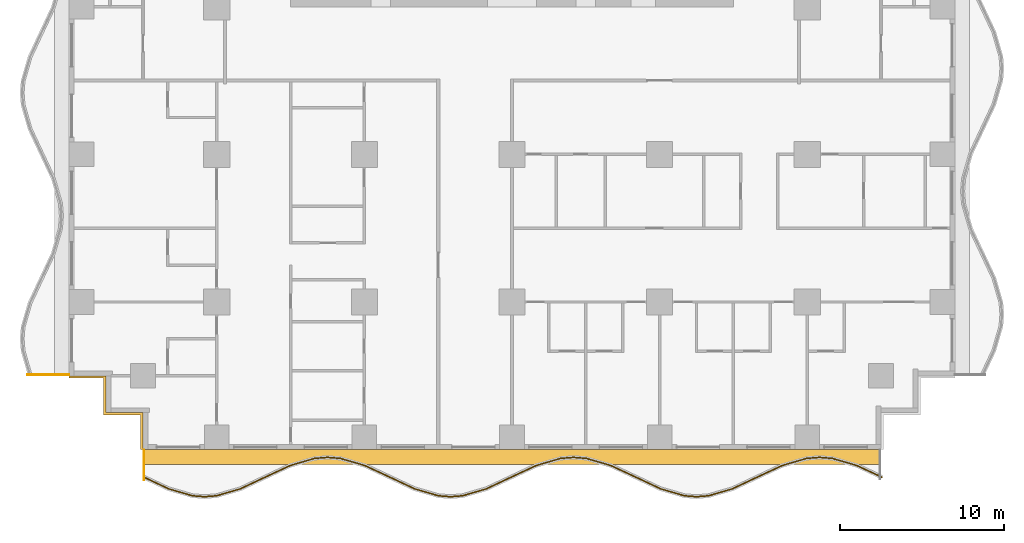
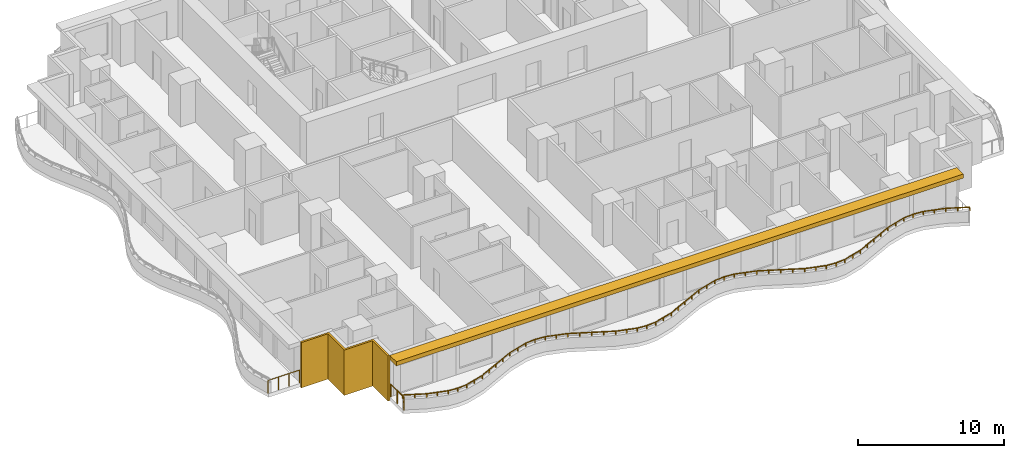
# One storey, part 8 of 14: 3 railings, 2 shading devices.
"""IFC4 building model written with IfcOpenShell, lengths in metres."""

from ifc_helpers import new_model, si_unit, direction, frame, origin, origin_2d, place, context, subcontext, project, spatial, polyline, rectangle, outline, extrude, material, layer, layer_set, type_object, element, save


model = new_model("IFC4")

# Units and contexts
model_context = context("Model", 3, precision=1e-05, world=origin(), true_north=direction((0.0, 1.0)))
body_context = subcontext(model_context, "Body", "Model", "MODEL_VIEW")
ifc_project = project(units=[si_unit("LENGTHUNIT", "METRE"), si_unit("AREAUNIT", "SQUARE_METRE"), si_unit("VOLUMEUNIT", "CUBIC_METRE"), si_unit("PLANEANGLEUNIT", "RADIAN"), si_unit("MASSUNIT", "GRAM", prefix="KILO")], contexts=[model_context])

# Site, building, storey
site_placement = place(None, origin())
site = spatial("IfcSite", under=ifc_project, at=site_placement, CompositionType="ELEMENT")
building_placement = place(site_placement, origin())
building = spatial("IfcBuilding", under=site, at=building_placement, Name="Orbiselva Terraces", CompositionType="ELEMENT")
storey_placement = place(building_placement, frame((0.0, 0.0, 15.0)))
storey = spatial("IfcBuildingStorey", under=building, at=storey_placement, Name="L03", CompositionType="ELEMENT", Elevation=15.0)

# Railings
ifc_material_1 = material(Name="Bonded two-ply safety glass balustrade, stainless steel posts", Category="steel")
railing_type_1 = type_object("IfcRailingType", Name="ENV-BALUSTRADE-1200", PredefinedType="BALUSTRADE", material=ifc_material_1)
railing_1_placement = place(storey_placement, frame((-22.446809, -24.186882, 0.9)))
element("IfcRailing", 1, at=railing_1_placement, inside=storey, type_object=railing_type_1, Name="Balcony balustrade L03 S", PredefinedType="BALUSTRADE", context=body_context, shape_type="SweptSolid", body=[
    extrude(outline(polyline([(0.028868, 0.0), (0.014434, 0.025), (-0.014434, 0.025), (-0.028868, 0.0), (-0.014434, -0.025), (0.014434, -0.025), (0.028868, 0.0)])), frame((0.0, 0.0, 0.275), z_axis=(0.904944359461, -0.425529912322, 0.0), x_axis=(0.425529912322, 0.904944359461, 0.0)), (0.0, 0.0, 1.0), 1.647746),
    extrude(outline(polyline([(0.028868, 0.0), (0.014434, 0.025), (-0.014434, 0.025), (-0.028868, 0.0), (-0.014434, -0.025), (0.014434, -0.025), (0.028868, 0.0)])), frame((1.491118, -0.701165, 0.275), z_axis=(0.960270317007, -0.279071528957, 0.0), x_axis=(0.279071528957, 0.960270317007, 0.0)), (0.0, 0.0, 1.0), 1.539408),
    extrude(outline(polyline([(0.028868, 0.0), (0.014434, 0.025), (-0.014434, 0.025), (-0.028868, 0.0), (-0.014434, -0.025), (0.014434, -0.025), (0.028868, 0.0)])), frame((2.969366, -1.13077, 0.275), z_axis=(0.996947916106, -0.078069536776, 0.0), x_axis=(0.078069536776, 0.996947916106, 0.0)), (0.0, 0.0, 1.0), 0.72967),
    extrude(outline(polyline([(0.028868, 0.0), (0.014434, 0.025), (-0.014434, 0.025), (-0.028868, 0.0), (-0.014434, -0.025), (0.014434, -0.025), (0.028868, 0.0)])), frame((3.696809, -1.187735, 0.275), z_axis=(0.996947916106, 0.078069536776, 0.0), x_axis=(-0.078069536776, 0.996947916106, 0.0)), (0.0, 0.0, 1.0), 0.72967),
    extrude(outline(polyline([(0.028868, 0.0), (0.014434, 0.025), (-0.014434, 0.025), (-0.028868, 0.0), (-0.014434, -0.025), (0.014434, -0.025), (0.028868, 0.0)])), frame((4.424252, -1.13077, 0.275), z_axis=(0.960270317007, 0.279071528957, 0.0), x_axis=(-0.279071528957, 0.960270317007, 0.0)), (0.0, 0.0, 1.0), 1.539408),
    extrude(outline(polyline([(0.028868, 0.0), (0.014434, 0.025), (-0.014434, 0.025), (-0.028868, 0.0), (-0.014434, -0.025), (0.014434, -0.025), (0.028868, 0.0)])), frame((5.9025, -0.701165, 0.275), z_axis=(0.904944359461, 0.425529912322, 0.0), x_axis=(-0.425529912322, 0.904944359461, 0.0)), (0.0, 0.0, 1.0), 1.647746),
    extrude(outline(polyline([(0.028868, 0.0), (0.014434, 0.025), (-0.014434, 0.025), (-0.028868, 0.0), (-0.014434, -0.025), (0.014434, -0.025), (0.028868, 0.0)])), frame((7.393618, 0.0, 0.275), z_axis=(0.904944157382, 0.425530342069, 0.0), x_axis=(-0.425530342069, 0.904944157382, 0.0)), (0.0, 0.0, 1.0), 1.667376),
    extrude(outline(polyline([(0.028868, 0.0), (0.014434, 0.025), (-0.014434, 0.025), (-0.028868, 0.0), (-0.014434, -0.025), (0.014434, -0.025), (0.028868, 0.0)])), frame((8.9025, 0.709519, 0.275), z_axis=(0.960270491427, 0.279070928786, 0.0), x_axis=(-0.279070928786, 0.960270491427, 0.0)), (0.0, 0.0, 1.0), 1.584712),
    extrude(outline(polyline([(0.028868, 0.0), (0.014434, 0.025), (-0.014434, 0.025), (-0.028868, 0.0), (-0.014434, -0.025), (0.014434, -0.025), (0.028868, 0.0)])), frame((10.424252, 1.151766, 0.275), z_axis=(0.996947796737, 0.078071061106, 0.0), x_axis=(-0.078071061106, 0.996947796737, 0.0)), (0.0, 0.0, 1.0), 0.774922),
    extrude(outline(polyline([(0.028868, 0.0), (0.014434, 0.025), (-0.014434, 0.025), (-0.028868, 0.0), (-0.014434, -0.025), (0.014434, -0.025), (0.028868, 0.0)])), frame((11.196809, 1.212265, 0.275), z_axis=(0.996947796737, -0.078071061106, 0.0), x_axis=(0.078071061106, 0.996947796737, 0.0)), (0.0, 0.0, 1.0), 0.774922),
    extrude(outline(polyline([(0.028868, 0.0), (0.014434, 0.025), (-0.014434, 0.025), (-0.028868, 0.0), (-0.014434, -0.025), (0.014434, -0.025), (0.028868, 0.0)])), frame((11.969366, 1.151766, 0.275), z_axis=(0.960270491427, -0.279070928786, 0.0), x_axis=(0.279070928786, 0.960270491427, 0.0)), (0.0, 0.0, 1.0), 1.584712),
    extrude(outline(polyline([(0.028868, 0.0), (0.014434, 0.025), (-0.014434, 0.025), (-0.028868, 0.0), (-0.014434, -0.025), (0.014434, -0.025), (0.028868, 0.0)])), frame((13.491118, 0.709519, 0.275), z_axis=(0.904944157382, -0.425530342069, 0.0), x_axis=(0.425530342069, 0.904944157382, 0.0)), (0.0, 0.0, 1.0), 1.667376),
    extrude(outline(polyline([(0.028868, 0.0), (0.014434, 0.025), (-0.014434, 0.025), (-0.028868, 0.0), (-0.014434, -0.025), (0.014434, -0.025), (0.028868, 0.0)])), frame((15.0, 0.0, 0.275), z_axis=(0.904944359461, -0.425529912322, 0.0), x_axis=(0.425529912322, 0.904944359461, 0.0)), (0.0, 0.0, 1.0), 1.647746),
    extrude(outline(polyline([(0.028868, 0.0), (0.014434, 0.025), (-0.014434, 0.025), (-0.028868, 0.0), (-0.014434, -0.025), (0.014434, -0.025), (0.028868, 0.0)])), frame((16.491118, -0.701165, 0.275), z_axis=(0.960270317007, -0.279071528957, 0.0), x_axis=(0.279071528957, 0.960270317007, 0.0)), (0.0, 0.0, 1.0), 1.539408),
    extrude(outline(polyline([(0.028868, 0.0), (0.014434, 0.025), (-0.014434, 0.025), (-0.028868, 0.0), (-0.014434, -0.025), (0.014434, -0.025), (0.028868, 0.0)])), frame((17.969366, -1.13077, 0.275), z_axis=(0.996947916106, -0.078069536776, 0.0), x_axis=(0.078069536776, 0.996947916106, 0.0)), (0.0, 0.0, 1.0), 0.72967),
    extrude(outline(polyline([(0.028868, 0.0), (0.014434, 0.025), (-0.014434, 0.025), (-0.028868, 0.0), (-0.014434, -0.025), (0.014434, -0.025), (0.028868, 0.0)])), frame((18.696809, -1.187735, 0.275), z_axis=(0.996947916106, 0.078069536776, 0.0), x_axis=(-0.078069536776, 0.996947916106, 0.0)), (0.0, 0.0, 1.0), 0.72967),
    extrude(outline(polyline([(0.028868, 0.0), (0.014434, 0.025), (-0.014434, 0.025), (-0.028868, 0.0), (-0.014434, -0.025), (0.014434, -0.025), (0.028868, 0.0)])), frame((19.424252, -1.13077, 0.275), z_axis=(0.960270317007, 0.279071528957, 0.0), x_axis=(-0.279071528957, 0.960270317007, 0.0)), (0.0, 0.0, 1.0), 1.539408),
    extrude(outline(polyline([(0.028868, 0.0), (0.014434, 0.025), (-0.014434, 0.025), (-0.028868, 0.0), (-0.014434, -0.025), (0.014434, -0.025), (0.028868, 0.0)])), frame((20.9025, -0.701165, 0.275), z_axis=(0.904944359461, 0.425529912322, 0.0), x_axis=(-0.425529912322, 0.904944359461, 0.0)), (0.0, 0.0, 1.0), 1.647746),
    extrude(outline(polyline([(0.028868, 0.0), (0.014434, 0.025), (-0.014434, 0.025), (-0.028868, 0.0), (-0.014434, -0.025), (0.014434, -0.025), (0.028868, 0.0)])), frame((22.393618, 0.0, 0.275), z_axis=(0.904944157382, 0.425530342069, 0.0), x_axis=(-0.425530342069, 0.904944157382, 0.0)), (0.0, 0.0, 1.0), 1.667376),
    extrude(outline(polyline([(0.028868, 0.0), (0.014434, 0.025), (-0.014434, 0.025), (-0.028868, 0.0), (-0.014434, -0.025), (0.014434, -0.025), (0.028868, 0.0)])), frame((23.9025, 0.709519, 0.275), z_axis=(0.960270491427, 0.279070928786, 0.0), x_axis=(-0.279070928786, 0.960270491427, 0.0)), (0.0, 0.0, 1.0), 1.584712),
    extrude(outline(polyline([(0.028868, 0.0), (0.014434, 0.025), (-0.014434, 0.025), (-0.028868, 0.0), (-0.014434, -0.025), (0.014434, -0.025), (0.028868, 0.0)])), frame((25.424252, 1.151766, 0.275), z_axis=(0.996947796737, 0.078071061106, 0.0), x_axis=(-0.078071061106, 0.996947796737, 0.0)), (0.0, 0.0, 1.0), 0.774922),
    extrude(outline(polyline([(0.028868, 0.0), (0.014434, 0.025), (-0.014434, 0.025), (-0.028868, 0.0), (-0.014434, -0.025), (0.014434, -0.025), (0.028868, 0.0)])), frame((26.196809, 1.212265, 0.275), z_axis=(0.996947796737, -0.078071061106, 0.0), x_axis=(0.078071061106, 0.996947796737, 0.0)), (0.0, 0.0, 1.0), 0.774922),
    extrude(outline(polyline([(0.028868, 0.0), (0.014434, 0.025), (-0.014434, 0.025), (-0.028868, 0.0), (-0.014434, -0.025), (0.014434, -0.025), (0.028868, 0.0)])), frame((26.969366, 1.151766, 0.275), z_axis=(0.960270491427, -0.279070928786, 0.0), x_axis=(0.279070928786, 0.960270491427, 0.0)), (0.0, 0.0, 1.0), 1.584712),
    extrude(outline(polyline([(0.028868, 0.0), (0.014434, 0.025), (-0.014434, 0.025), (-0.028868, 0.0), (-0.014434, -0.025), (0.014434, -0.025), (0.028868, 0.0)])), frame((28.491118, 0.709519, 0.275), z_axis=(0.904944157382, -0.425530342069, 0.0), x_axis=(0.425530342069, 0.904944157382, 0.0)), (0.0, 0.0, 1.0), 1.667376),
    extrude(outline(polyline([(0.028868, 0.0), (0.014434, 0.025), (-0.014434, 0.025), (-0.028868, 0.0), (-0.014434, -0.025), (0.014434, -0.025), (0.028868, 0.0)])), frame((30.0, 0.0, 0.275), z_axis=(0.904944359461, -0.425529912322, 0.0), x_axis=(0.425529912322, 0.904944359461, 0.0)), (0.0, 0.0, 1.0), 1.647746),
    extrude(outline(polyline([(0.028868, 0.0), (0.014434, 0.025), (-0.014434, 0.025), (-0.028868, 0.0), (-0.014434, -0.025), (0.014434, -0.025), (0.028868, 0.0)])), frame((31.491118, -0.701165, 0.275), z_axis=(0.960270317007, -0.279071528957, 0.0), x_axis=(0.279071528957, 0.960270317007, 0.0)), (0.0, 0.0, 1.0), 1.539408),
    extrude(outline(polyline([(0.028868, 0.0), (0.014434, 0.025), (-0.014434, 0.025), (-0.028868, 0.0), (-0.014434, -0.025), (0.014434, -0.025), (0.028868, 0.0)])), frame((32.969366, -1.13077, 0.275), z_axis=(0.996947916106, -0.078069536776, 0.0), x_axis=(0.078069536776, 0.996947916106, 0.0)), (0.0, 0.0, 1.0), 0.72967),
    extrude(outline(polyline([(0.028868, 0.0), (0.014434, 0.025), (-0.014434, 0.025), (-0.028868, 0.0), (-0.014434, -0.025), (0.014434, -0.025), (0.028868, 0.0)])), frame((33.696809, -1.187735, 0.275), z_axis=(0.996947916106, 0.078069536776, 0.0), x_axis=(-0.078069536776, 0.996947916106, 0.0)), (0.0, 0.0, 1.0), 0.72967),
    extrude(outline(polyline([(0.028868, 0.0), (0.014434, 0.025), (-0.014434, 0.025), (-0.028868, 0.0), (-0.014434, -0.025), (0.014434, -0.025), (0.028868, 0.0)])), frame((34.424252, -1.13077, 0.275), z_axis=(0.960270317007, 0.279071528957, 0.0), x_axis=(-0.279071528957, 0.960270317007, 0.0)), (0.0, 0.0, 1.0), 1.539408),
    extrude(outline(polyline([(0.028868, 0.0), (0.014434, 0.025), (-0.014434, 0.025), (-0.028868, 0.0), (-0.014434, -0.025), (0.014434, -0.025), (0.028868, 0.0)])), frame((35.9025, -0.701165, 0.275), z_axis=(0.904944359461, 0.425529912322, 0.0), x_axis=(-0.425529912322, 0.904944359461, 0.0)), (0.0, 0.0, 1.0), 1.647746),
    extrude(outline(polyline([(0.028868, 0.0), (0.014434, 0.025), (-0.014434, 0.025), (-0.028868, 0.0), (-0.014434, -0.025), (0.014434, -0.025), (0.028868, 0.0)])), frame((37.393618, 0.0, 0.275), z_axis=(0.904944157382, 0.425530342069, 0.0), x_axis=(-0.425530342069, 0.904944157382, 0.0)), (0.0, 0.0, 1.0), 1.667376),
    extrude(outline(polyline([(0.028868, 0.0), (0.014434, 0.025), (-0.014434, 0.025), (-0.028868, 0.0), (-0.014434, -0.025), (0.014434, -0.025), (0.028868, 0.0)])), frame((38.9025, 0.709519, 0.275), z_axis=(0.960270491427, 0.279070928786, 0.0), x_axis=(-0.279070928786, 0.960270491427, 0.0)), (0.0, 0.0, 1.0), 1.584712),
    extrude(outline(polyline([(0.028868, 0.0), (0.014434, 0.025), (-0.014434, 0.025), (-0.028868, 0.0), (-0.014434, -0.025), (0.014434, -0.025), (0.028868, 0.0)])), frame((40.424252, 1.151766, 0.275), z_axis=(0.996947796737, 0.078071061106, 0.0), x_axis=(-0.078071061106, 0.996947796737, 0.0)), (0.0, 0.0, 1.0), 0.774922),
    extrude(outline(polyline([(0.028868, 0.0), (0.014434, 0.025), (-0.014434, 0.025), (-0.028868, 0.0), (-0.014434, -0.025), (0.014434, -0.025), (0.028868, 0.0)])), frame((41.196809, 1.212265, 0.275), z_axis=(0.996947796737, -0.078071061106, 0.0), x_axis=(0.078071061106, 0.996947796737, 0.0)), (0.0, 0.0, 1.0), 0.774922),
    extrude(outline(polyline([(0.028868, 0.0), (0.014434, 0.025), (-0.014434, 0.025), (-0.028868, 0.0), (-0.014434, -0.025), (0.014434, -0.025), (0.028868, 0.0)])), frame((41.969366, 1.151766, 0.275), z_axis=(0.960270491427, -0.279070928786, 0.0), x_axis=(0.279070928786, 0.960270491427, 0.0)), (0.0, 0.0, 1.0), 1.584712),
    extrude(outline(polyline([(0.028868, 0.0), (0.014434, 0.025), (-0.014434, 0.025), (-0.028868, 0.0), (-0.014434, -0.025), (0.014434, -0.025), (0.028868, 0.0)])), frame((43.491118, 0.709519, 0.275), z_axis=(0.904944157382, -0.425530342069, 0.0), x_axis=(0.425530342069, 0.904944157382, 0.0)), (0.0, 0.0, 1.0), 1.667376),
    extrude(rectangle(XDim=0.05, YDim=0.05, at=origin_2d()), origin(), (0.0, 0.0, 1.0), 0.25),
    extrude(rectangle(XDim=0.05, YDim=0.05, at=origin_2d()), frame((0.745559, -0.350582, 0.0)), (0.0, 0.0, 1.0), 0.25),
    extrude(rectangle(XDim=0.05, YDim=0.05, at=origin_2d()), frame((1.491118, -0.701165, 0.0)), (0.0, 0.0, 1.0), 0.25),
    extrude(rectangle(XDim=0.05, YDim=0.05, at=origin_2d()), frame((2.230242, -0.915967, 0.0)), (0.0, 0.0, 1.0), 0.25),
    extrude(rectangle(XDim=0.05, YDim=0.05, at=origin_2d()), frame((2.969366, -1.13077, 0.0)), (0.0, 0.0, 1.0), 0.25),
    extrude(rectangle(XDim=0.05, YDim=0.05, at=origin_2d()), frame((3.696809, -1.187735, 0.0)), (0.0, 0.0, 1.0), 0.25),
    extrude(rectangle(XDim=0.05, YDim=0.05, at=origin_2d()), frame((4.424252, -1.13077, 0.0)), (0.0, 0.0, 1.0), 0.25),
    extrude(rectangle(XDim=0.05, YDim=0.05, at=origin_2d()), frame((5.163376, -0.915967, 0.0)), (0.0, 0.0, 1.0), 0.25),
    extrude(rectangle(XDim=0.05, YDim=0.05, at=origin_2d()), frame((5.9025, -0.701165, 0.0)), (0.0, 0.0, 1.0), 0.25),
    extrude(rectangle(XDim=0.05, YDim=0.05, at=origin_2d()), frame((6.648059, -0.350582, 0.0)), (0.0, 0.0, 1.0), 0.25),
    extrude(rectangle(XDim=0.05, YDim=0.05, at=origin_2d()), frame((7.393618, 0.0, 0.0)), (0.0, 0.0, 1.0), 0.25),
    extrude(rectangle(XDim=0.05, YDim=0.05, at=origin_2d()), frame((8.148059, 0.35476, 0.0)), (0.0, 0.0, 1.0), 0.25),
    extrude(rectangle(XDim=0.05, YDim=0.05, at=origin_2d()), frame((8.9025, 0.709519, 0.0)), (0.0, 0.0, 1.0), 0.25),
    extrude(rectangle(XDim=0.05, YDim=0.05, at=origin_2d()), frame((9.663376, 0.930643, 0.0)), (0.0, 0.0, 1.0), 0.25),
    extrude(rectangle(XDim=0.05, YDim=0.05, at=origin_2d()), frame((10.424252, 1.151766, 0.0)), (0.0, 0.0, 1.0), 0.25),
    extrude(rectangle(XDim=0.05, YDim=0.05, at=origin_2d()), frame((11.196809, 1.212265, 0.0)), (0.0, 0.0, 1.0), 0.25),
    extrude(rectangle(XDim=0.05, YDim=0.05, at=origin_2d()), frame((11.969366, 1.151766, 0.0)), (0.0, 0.0, 1.0), 0.25),
    extrude(rectangle(XDim=0.05, YDim=0.05, at=origin_2d()), frame((12.730242, 0.930643, 0.0)), (0.0, 0.0, 1.0), 0.25),
    extrude(rectangle(XDim=0.05, YDim=0.05, at=origin_2d()), frame((13.491118, 0.709519, 0.0)), (0.0, 0.0, 1.0), 0.25),
    extrude(rectangle(XDim=0.05, YDim=0.05, at=origin_2d()), frame((14.245559, 0.35476, 0.0)), (0.0, 0.0, 1.0), 0.25),
    extrude(rectangle(XDim=0.05, YDim=0.05, at=origin_2d()), frame((15.0, 0.0, 0.0)), (0.0, 0.0, 1.0), 0.25),
    extrude(rectangle(XDim=0.05, YDim=0.05, at=origin_2d()), frame((15.745559, -0.350582, 0.0)), (0.0, 0.0, 1.0), 0.25),
    extrude(rectangle(XDim=0.05, YDim=0.05, at=origin_2d()), frame((16.491118, -0.701165, 0.0)), (0.0, 0.0, 1.0), 0.25),
    extrude(rectangle(XDim=0.05, YDim=0.05, at=origin_2d()), frame((17.230242, -0.915967, 0.0)), (0.0, 0.0, 1.0), 0.25),
    extrude(rectangle(XDim=0.05, YDim=0.05, at=origin_2d()), frame((17.969366, -1.13077, 0.0)), (0.0, 0.0, 1.0), 0.25),
    extrude(rectangle(XDim=0.05, YDim=0.05, at=origin_2d()), frame((18.696809, -1.187735, 0.0)), (0.0, 0.0, 1.0), 0.25),
    extrude(rectangle(XDim=0.05, YDim=0.05, at=origin_2d()), frame((19.424252, -1.13077, 0.0)), (0.0, 0.0, 1.0), 0.25),
    extrude(rectangle(XDim=0.05, YDim=0.05, at=origin_2d()), frame((20.163376, -0.915967, 0.0)), (0.0, 0.0, 1.0), 0.25),
    extrude(rectangle(XDim=0.05, YDim=0.05, at=origin_2d()), frame((20.9025, -0.701165, 0.0)), (0.0, 0.0, 1.0), 0.25),
    extrude(rectangle(XDim=0.05, YDim=0.05, at=origin_2d()), frame((21.648059, -0.350582, 0.0)), (0.0, 0.0, 1.0), 0.25),
    extrude(rectangle(XDim=0.05, YDim=0.05, at=origin_2d()), frame((22.393618, 0.0, 0.0)), (0.0, 0.0, 1.0), 0.25),
    extrude(rectangle(XDim=0.05, YDim=0.05, at=origin_2d()), frame((23.148059, 0.35476, 0.0)), (0.0, 0.0, 1.0), 0.25),
    extrude(rectangle(XDim=0.05, YDim=0.05, at=origin_2d()), frame((23.9025, 0.709519, 0.0)), (0.0, 0.0, 1.0), 0.25),
    extrude(rectangle(XDim=0.05, YDim=0.05, at=origin_2d()), frame((24.663376, 0.930643, 0.0)), (0.0, 0.0, 1.0), 0.25),
    extrude(rectangle(XDim=0.05, YDim=0.05, at=origin_2d()), frame((25.424252, 1.151766, 0.0)), (0.0, 0.0, 1.0), 0.25),
    extrude(rectangle(XDim=0.05, YDim=0.05, at=origin_2d()), frame((26.196809, 1.212265, 0.0)), (0.0, 0.0, 1.0), 0.25),
    extrude(rectangle(XDim=0.05, YDim=0.05, at=origin_2d()), frame((26.969366, 1.151766, 0.0)), (0.0, 0.0, 1.0), 0.25),
    extrude(rectangle(XDim=0.05, YDim=0.05, at=origin_2d()), frame((27.730242, 0.930643, 0.0)), (0.0, 0.0, 1.0), 0.25),
    extrude(rectangle(XDim=0.05, YDim=0.05, at=origin_2d()), frame((28.491118, 0.709519, 0.0)), (0.0, 0.0, 1.0), 0.25),
    extrude(rectangle(XDim=0.05, YDim=0.05, at=origin_2d()), frame((29.245559, 0.35476, 0.0)), (0.0, 0.0, 1.0), 0.25),
    extrude(rectangle(XDim=0.05, YDim=0.05, at=origin_2d()), frame((30.0, 0.0, 0.0)), (0.0, 0.0, 1.0), 0.25),
    extrude(rectangle(XDim=0.05, YDim=0.05, at=origin_2d()), frame((30.745559, -0.350582, 0.0)), (0.0, 0.0, 1.0), 0.25),
    extrude(rectangle(XDim=0.05, YDim=0.05, at=origin_2d()), frame((31.491118, -0.701165, 0.0)), (0.0, 0.0, 1.0), 0.25),
    extrude(rectangle(XDim=0.05, YDim=0.05, at=origin_2d()), frame((32.230242, -0.915967, 0.0)), (0.0, 0.0, 1.0), 0.25),
    extrude(rectangle(XDim=0.05, YDim=0.05, at=origin_2d()), frame((32.969366, -1.13077, 0.0)), (0.0, 0.0, 1.0), 0.25),
    extrude(rectangle(XDim=0.05, YDim=0.05, at=origin_2d()), frame((33.696809, -1.187735, 0.0)), (0.0, 0.0, 1.0), 0.25),
    extrude(rectangle(XDim=0.05, YDim=0.05, at=origin_2d()), frame((34.424252, -1.13077, 0.0)), (0.0, 0.0, 1.0), 0.25),
    extrude(rectangle(XDim=0.05, YDim=0.05, at=origin_2d()), frame((35.163376, -0.915967, 0.0)), (0.0, 0.0, 1.0), 0.25),
    extrude(rectangle(XDim=0.05, YDim=0.05, at=origin_2d()), frame((35.9025, -0.701165, 0.0)), (0.0, 0.0, 1.0), 0.25),
    extrude(rectangle(XDim=0.05, YDim=0.05, at=origin_2d()), frame((36.648059, -0.350582, 0.0)), (0.0, 0.0, 1.0), 0.25),
    extrude(rectangle(XDim=0.05, YDim=0.05, at=origin_2d()), frame((37.393618, 0.0, 0.0)), (0.0, 0.0, 1.0), 0.25),
    extrude(rectangle(XDim=0.05, YDim=0.05, at=origin_2d()), frame((38.148059, 0.35476, 0.0)), (0.0, 0.0, 1.0), 0.25),
    extrude(rectangle(XDim=0.05, YDim=0.05, at=origin_2d()), frame((38.9025, 0.709519, 0.0)), (0.0, 0.0, 1.0), 0.25),
    extrude(rectangle(XDim=0.05, YDim=0.05, at=origin_2d()), frame((39.663376, 0.930643, 0.0)), (0.0, 0.0, 1.0), 0.25),
    extrude(rectangle(XDim=0.05, YDim=0.05, at=origin_2d()), frame((40.424252, 1.151766, 0.0)), (0.0, 0.0, 1.0), 0.25),
    extrude(rectangle(XDim=0.05, YDim=0.05, at=origin_2d()), frame((41.196809, 1.212265, 0.0)), (0.0, 0.0, 1.0), 0.25),
    extrude(rectangle(XDim=0.05, YDim=0.05, at=origin_2d()), frame((41.969366, 1.151766, 0.0)), (0.0, 0.0, 1.0), 0.25),
    extrude(rectangle(XDim=0.05, YDim=0.05, at=origin_2d()), frame((42.730242, 0.930643, 0.0)), (0.0, 0.0, 1.0), 0.25),
    extrude(rectangle(XDim=0.05, YDim=0.05, at=origin_2d()), frame((43.491118, 0.709519, 0.0)), (0.0, 0.0, 1.0), 0.25),
    extrude(rectangle(XDim=0.05, YDim=0.05, at=origin_2d()), frame((44.245559, 0.35476, 0.0)), (0.0, 0.0, 1.0), 0.25),
    extrude(rectangle(XDim=0.05, YDim=0.05, at=origin_2d()), frame((45.0, 0.0, 0.0)), (0.0, 0.0, 1.0), 0.25),
])
ifc_material_2 = material(Name="Stainless steel rail and posts", Category="steel")
railing_type_2 = type_object("IfcRailingType", Name="ENV-GUARD-1105", PredefinedType="BALUSTRADE", material=ifc_material_2)
railing_2_placement = place(storey_placement, frame((-22.44, -24.330156, 0.0)))
element("IfcRailing", 2, at=railing_2_placement, inside=storey, type_object=railing_type_2, Name="Balcony end guard L03 S", PredefinedType="BALUSTRADE", context=body_context, shape_type="SweptSolid", body=[
    extrude(outline(polyline([(0.028868, 0.0), (0.014434, 0.025), (-0.014434, 0.025), (-0.028868, 0.0), (-0.014434, -0.025), (0.014434, -0.025), (0.028868, 0.0)])), frame((0.0, 0.0, 1.08), z_axis=(0.0, 1.0, 0.0), x_axis=(-1.0, 0.0, 0.0)), (0.0, 0.0, 1.0), 1.805156),
    extrude(rectangle(XDim=0.05, YDim=0.05, at=origin_2d()), origin(), (0.0, 0.0, 1.0), 1.055),
    extrude(rectangle(XDim=0.05, YDim=0.05, at=origin_2d()), frame((0.0, 0.902578, 0.0)), (0.0, 0.0, 1.0), 1.055),
    extrude(rectangle(XDim=0.05, YDim=0.05, at=origin_2d()), frame((0.0, 1.805156, 0.0)), (0.0, 0.0, 1.0), 1.055),
])
railing_3_placement = place(storey_placement, frame((-29.529516, -17.94, 0.0)))
element("IfcRailing", 3, at=railing_3_placement, inside=storey, type_object=railing_type_2, Name="Balcony end guard L03 W", PredefinedType="BALUSTRADE", context=body_context, shape_type="SweptSolid", body=[
    extrude(outline(polyline([(0.028868, 0.0), (0.014434, 0.025), (-0.014434, 0.025), (-0.028868, 0.0), (-0.014434, -0.025), (0.014434, -0.025), (0.028868, 0.0)])), frame((0.0, 0.0, 1.08), z_axis=(1.0, 0.0, 0.0), x_axis=(0.0, 1.0, 0.0)), (0.0, 0.0, 1.0), 2.504516),
    extrude(rectangle(XDim=0.05, YDim=0.05, at=origin_2d()), origin(), (0.0, 0.0, 1.0), 1.055),
    extrude(rectangle(XDim=0.05, YDim=0.05, at=origin_2d()), frame((0.834839, 0.0, 0.0)), (0.0, 0.0, 1.0), 1.055),
    extrude(rectangle(XDim=0.05, YDim=0.05, at=origin_2d()), frame((1.669677, 0.0, 0.0)), (0.0, 0.0, 1.0), 1.055),
    extrude(rectangle(XDim=0.05, YDim=0.05, at=origin_2d()), frame((2.504516, 0.0, 0.0)), (0.0, 0.0, 1.0), 1.055),
])

# Shading devices
ifc_material_3 = material(Name="Terracotta louvre screen", Category="masonry")
ifc_layer_1 = layer(ifc_material_3, 0.15)
ifc_layer_set_1 = layer_set([ifc_layer_1], Name="Terracotta louvre screen")
shading_device_type_1 = type_object("IfcShadingDeviceType", Name="ENV-SCREEN-150", PredefinedType="USERDEFINED", material=ifc_layer_set_1)
shading_device_1_placement = place(storey_placement, frame((0.0, 0.0, -0.3)))
element("IfcShadingDevice", 4, at=shading_device_1_placement, inside=storey, type_object=shading_device_type_1, Name="Louvre screen L03 SW", ObjectType="SCREEN", PredefinedType="USERDEFINED", context=body_context, shape_type="SweptSolid", body=[
    extrude(outline(polyline([(-27.0, -18.15), (-24.9, -18.15), (-24.9, -20.4), (-22.65, -20.4), (-22.65, -22.5), (-22.5, -22.5), (-22.5, -20.25), (-24.75, -20.25), (-24.75, -18.0), (-27.0, -18.0), (-27.0, -18.15)])), origin(), (0.0, 0.0, 1.0), 3.8),
])
ifc_material_4 = material(Name="Terracotta baguette sunshade", Category="masonry")
ifc_layer_2 = layer(ifc_material_4, 0.35)
ifc_layer_set_2 = layer_set([ifc_layer_2], Name="Terracotta baguette sunshade")
shading_device_type_2 = type_object("IfcShadingDeviceType", Name="ENV-SUNSHADE-900x350", PredefinedType="USERDEFINED", material=ifc_layer_set_2)
shading_device_2_placement = place(storey_placement, frame((0.0, 0.0, 3.15)))
element("IfcShadingDevice", 5, at=shading_device_2_placement, inside=storey, type_object=shading_device_type_2, Name="Sunshade band L03 S", ObjectType="SUNSHADE", PredefinedType="USERDEFINED", context=body_context, shape_type="SweptSolid", body=[
    extrude(outline(polyline([(-22.5, -23.4), (22.5, -23.4), (22.5, -22.5), (-22.5, -22.5), (-22.5, -23.4)])), origin(), (0.0, 0.0, 1.0), 0.35),
])

save(model, "model.ifc")
